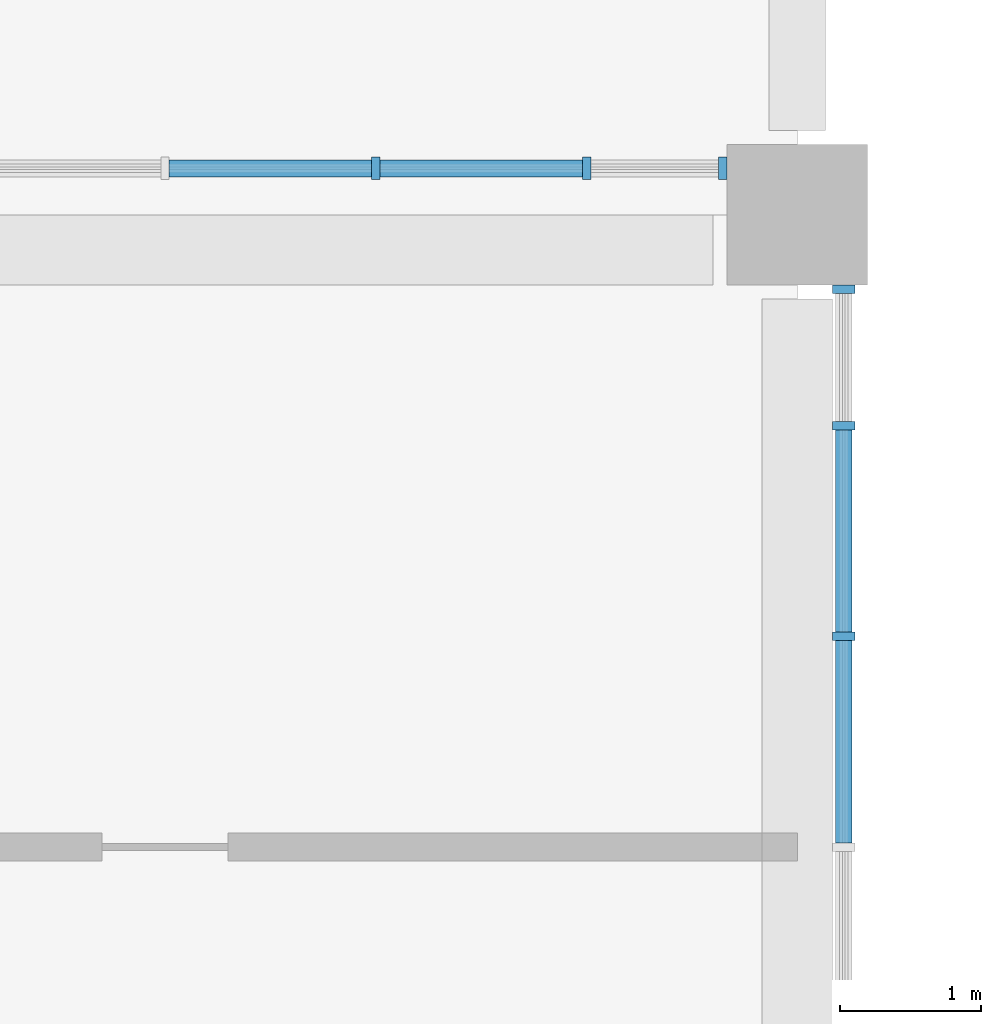
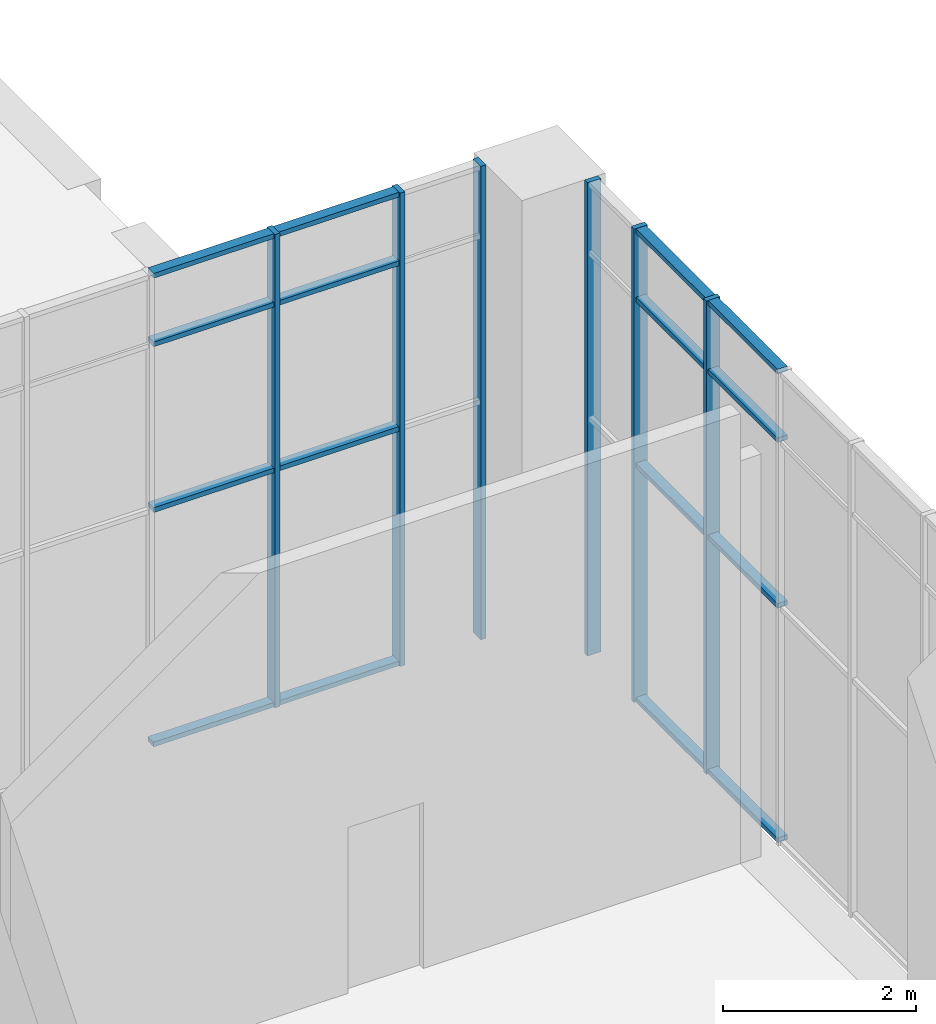
# One storey, part 30 of 86: 22 members, 2 elements without a shape of their own.
"""IFC4 building model written with IfcOpenShell, lengths in metres."""

import ifcopenshell
import ifcopenshell.guid

model = None  # the IFC model being written
_history = None  # IfcOwnerHistory: only IFC2X3 demands one
_inside = {}  # id of a spatial element -> (the spatial element, [elements in it])
_under = {}  # id of a project, library or spatial element -> (it, [spatial elements below it])
_declared = {}  # id of a project -> (the project, [libraries it declares])
_typed = {}  # id of a type object -> (the type object, [elements of that type])
_made_of = {}  # id of a material, layer set ... -> (it, [elements and type objects made of it])


def new_model(schema):
    """Start an empty IFC model of exactly this schema.

    Asked for "IFC4X3", IfcOpenShell would pick the latest addendum, in which some entities
    have other attributes; the version numbers below select the first issue.
    IFC2X3 requires an IfcOwnerHistory on every rooted entity: one is made here for all.
    """
    global model, _history
    if schema == "IFC4X3":
        model = ifcopenshell.file(schema_version=(4, 3, 0, 0))
    else:
        model = ifcopenshell.file(schema=schema)
    _inside.clear()
    _under.clear()
    _declared.clear()
    _typed.clear()
    _made_of.clear()
    _history = None
    if model.schema == "IFC2X3":
        org = make("IfcOrganization", Name="unknown")
        user = make(
            "IfcPersonAndOrganization",
            ThePerson=make("IfcPerson", FamilyName="unknown"),
            TheOrganization=org,
        )
        app = make(
            "IfcApplication",
            ApplicationDeveloper=org,
            Version="unknown",
            ApplicationFullName="unknown",
            ApplicationIdentifier="unknown",
        )
        _history = make(
            "IfcOwnerHistory",
            OwningUser=user,
            OwningApplication=app,
            ChangeAction="ADDED",
            CreationDate=0,
        )
    return model


def make(cls, **values):
    """One entity of the class cls with the attributes given. An attribute that is None is left unset."""
    return model.create_entity(
        cls, **{name: value for name, value in values.items() if value is not None}
    )


def rooted(cls, **values):
    """An entity with a GlobalId (a new one), such as an element, a storey or a relation."""
    return make(cls, GlobalId=ifcopenshell.guid.new(), OwnerHistory=_history, **values)


def si_unit(unit_type, name, prefix=None):
    """IfcSIUnit, for example si_unit("LENGTHUNIT", "METRE", prefix="MILLI")."""
    return make("IfcSIUnit", UnitType=unit_type, Prefix=prefix, Name=name)


def assignment(units):
    """IfcUnitAssignment: the units of a project."""
    return None if units is None else make("IfcUnitAssignment", Units=units)


def point(xyz):
    """IfcCartesianPoint."""
    return None if xyz is None else make("IfcCartesianPoint", Coordinates=xyz)


def direction(xyz):
    """IfcDirection."""
    return None if xyz is None else make("IfcDirection", DirectionRatios=xyz)


def frame(location, z_axis=None, x_axis=None):
    """IfcAxis2Placement3D, a coordinate frame: its origin and axes. An axis left out is left unset."""
    return make(
        "IfcAxis2Placement3D",
        Location=point(location),
        Axis=direction(z_axis),
        RefDirection=direction(x_axis),
    )


def frame_2d(location, x_axis=None):
    """IfcAxis2Placement2D, a coordinate frame in the plane: its origin and x axis."""
    return make(
        "IfcAxis2Placement2D", Location=point(location), RefDirection=direction(x_axis)
    )


def origin():
    """The frame at (0, 0, 0) with its axes left unset."""
    return frame((0.0, 0.0, 0.0))


def origin_2d():
    """The frame at (0, 0) in the plane with its x axis left unset."""
    return frame_2d((0.0, 0.0))


def place(relative_to, where):
    """IfcLocalPlacement: puts the frame where relative to a parent placement (None: the world)."""
    return make(
        "IfcLocalPlacement", PlacementRelTo=relative_to, RelativePlacement=where
    )


def context(
    kind, dimensions, precision=None, world=None, true_north=None, identifier=None
):
    """IfcGeometricRepresentationContext, for example the 3D "Model" context."""
    return make(
        "IfcGeometricRepresentationContext",
        ContextIdentifier=identifier,
        ContextType=kind,
        CoordinateSpaceDimension=dimensions,
        Precision=precision,
        WorldCoordinateSystem=world,
        TrueNorth=true_north,
    )


def subcontext(parent, identifier, kind, view, scale=None):
    """IfcGeometricRepresentationSubContext, for example "Body" below "Model"."""
    return make(
        "IfcGeometricRepresentationSubContext",
        ContextIdentifier=identifier,
        ContextType=kind,
        ParentContext=parent,
        TargetScale=scale,
        TargetView=view,
    )


def project(units=None, contexts=None):
    """IfcProject with its units and contexts."""
    return rooted(
        "IfcProject",
        Name="project",
        RepresentationContexts=contexts,
        UnitsInContext=assignment(units),
    )


def spatial(cls, under=None, at=None, **own):
    """A site, building, storey or space (cls), placed at a placement, below another one or the project."""
    s = rooted(cls, ObjectPlacement=at, **own)
    if under is not None:
        _under.setdefault(under.id(), (under, []))[1].append(s)
    return s


def profile(cls, at=None, kind="AREA", **sizes):
    """A parametric profile (cls). Its sizes go by their IFC names, for example OverallWidth=200.0."""
    return make(cls, ProfileType=kind, Position=at, **sizes)


def rectangle(**sizes):
    """IfcRectangleProfileDef."""
    return profile("IfcRectangleProfileDef", **sizes)


def extrude(swept, where, along, depth):
    """IfcExtrudedAreaSolid: the profile swept, set in the frame where, extruded along a direction by depth."""
    return make(
        "IfcExtrudedAreaSolid",
        SweptArea=swept,
        Position=where,
        ExtrudedDirection=direction(along),
        Depth=depth,
    )


def shape(context_of_items, identifier, shape_type, items):
    """IfcShapeRepresentation: the items that make up one representation, for example the "Body"."""
    return make(
        "IfcShapeRepresentation",
        ContextOfItems=context_of_items,
        RepresentationIdentifier=identifier,
        RepresentationType=shape_type,
        Items=items,
    )


def material(Name=None, Category=None):
    """IfcMaterial."""
    return make("IfcMaterial", Name=Name, Category=Category)


def layer(
    of_material, thickness, ventilated=None, Name=None, Category=None, Priority=None
):
    """IfcMaterialLayer: one layer of a wall or slab, of a material (None: an air gap)."""
    return make(
        "IfcMaterialLayer",
        Material=of_material,
        LayerThickness=thickness,
        IsVentilated=ventilated,
        Name=Name,
        Category=Category,
        Priority=Priority,
    )


def layer_set(layers, Name=None):
    """IfcMaterialLayerSet."""
    return make("IfcMaterialLayerSet", MaterialLayers=layers, LayerSetName=Name)


def material_profile(
    of_material, cross_section, Name=None, Category=None, Priority=None
):
    """IfcMaterialProfile: a cross section and its material."""
    return make(
        "IfcMaterialProfile",
        Name=Name,
        Material=of_material,
        Profile=cross_section,
        Priority=Priority,
        Category=Category,
    )


def profile_set(profiles, Name=None, composite=None):
    """IfcMaterialProfileSet."""
    return make(
        "IfcMaterialProfileSet",
        Name=Name,
        MaterialProfiles=profiles,
        CompositeProfile=composite,
    )


def made_of(thing, what):
    """Note that an element or type object is made of a material, layer set ...; save() writes the relation."""
    if what is not None:
        _made_of.setdefault(what.id(), (what, []))[1].append(thing)
    return thing


def type_object(cls, material=None, **own):
    """A type object (cls), such as IfcWallType, which elements share."""
    return made_of(rooted(cls, **own), material)


def element(
    cls,
    number,
    at=None,
    inside=None,
    cuts=None,
    type_object=None,
    material=None,
    context=None,
    identifier="Body",
    shape_type=None,
    held_by="IfcProductDefinitionShape",
    body=None,
    shapes=None,
    **own,
):
    """One element of the class cls, such as IfcWall. Its Tag is "e" and its number.

    at: its placement. inside: the storey or other place that contains it. cuts: it is an
    opening in that element (IfcRelVoidsElement). A single representation is given by context,
    identifier, shape_type and body (its items); several are given by shapes. held_by: the class
    of the entity that holds the representations. save() writes the other relations.
    """
    e = rooted(cls, Tag="e%d" % number, ObjectPlacement=at, **own)
    if body is not None:
        shapes = [shape(context, identifier, shape_type, body)]
    if shapes is not None:
        e.Representation = make(held_by, Representations=shapes)
    if inside is not None:
        _inside.setdefault(inside.id(), (inside, []))[1].append(e)
    if cuts is not None:
        rooted(
            "IfcRelVoidsElement", RelatingBuildingElement=cuts, RelatedOpeningElement=e
        )
    if type_object is not None:
        _typed.setdefault(type_object.id(), (type_object, []))[1].append(e)
    return made_of(e, material)


def aggregate(whole, parts):
    """IfcRelAggregates: a whole, such as a stair, and the parts it consists of."""
    return rooted("IfcRelAggregates", RelatingObject=whole, RelatedObjects=parts)


def save(model, path):
    """Write the relations noted so far, then the file.

    IfcRelAggregates (storeys below a building ...), IfcRelContainedInSpatialStructure (elements
    in a storey), IfcRelDefinesByType, IfcRelAssociatesMaterial and IfcRelDeclares: one each for
    every whole, place, type object, material and project.
    """
    for whole, parts in _under.values():
        aggregate(whole, parts)
    for where, things in _inside.values():
        rooted(
            "IfcRelContainedInSpatialStructure",
            RelatedElements=things,
            RelatingStructure=where,
        )
    for kind, things in _typed.values():
        rooted("IfcRelDefinesByType", RelatedObjects=things, RelatingType=kind)
    for what, things in _made_of.values():
        rooted("IfcRelAssociatesMaterial", RelatedObjects=things, RelatingMaterial=what)
    for by, libraries in _declared.values():
        rooted("IfcRelDeclares", RelatingContext=by, RelatedDefinitions=libraries)
    model.write(path)


model = new_model("IFC4")

# Units and contexts
model_context = context("Model", 3, precision=1e-05, world=origin(), true_north=direction((0.0, 1.0)))
body_context = subcontext(model_context, "Body", "Model", "MODEL_VIEW")
ifc_project = project(units=[si_unit("LENGTHUNIT", "METRE"), si_unit("AREAUNIT", "SQUARE_METRE"), si_unit("VOLUMEUNIT", "CUBIC_METRE"), si_unit("PLANEANGLEUNIT", "RADIAN"), si_unit("MASSUNIT", "GRAM", prefix="KILO")], contexts=[model_context])

# Site, building, storey
site_placement = place(None, origin())
site = spatial("IfcSite", under=ifc_project, at=site_placement, CompositionType="ELEMENT")
building_placement = place(site_placement, origin())
building = spatial("IfcBuilding", under=site, at=building_placement, Name="Guidao Yard Department Store", CompositionType="ELEMENT")
storey_placement = place(building_placement, origin())
storey = spatial("IfcBuildingStorey", under=building, at=storey_placement, Name="L00", CompositionType="ELEMENT", Elevation=0.0)

# Curtain wall, members
ifc_material_1 = material(Name="Aluminium and glass", Category="aluminium")
ifc_layer = layer(ifc_material_1, 0.159912109375)
ifc_layer_set = layer_set([ifc_layer], Name="Unitised curtain wall CW4 1500 module")
curtain_wall_type = type_object("IfcCurtainWallType", Name="Unitised curtain wall CW4 1500 module", PredefinedType="NOTDEFINED", material=ifc_layer_set)
curtain_wall_1_placement = place(storey_placement, origin())
curtain_wall_1 = element("IfcCurtainWall", 1, at=curtain_wall_1_placement, inside=storey, type_object=curtain_wall_type, Name="Unitised curtain wall", PredefinedType="NOTDEFINED")
ifc_material_2 = material(Name="Aluminium 6063-T5", Category="aluminium")
ifc_material_profile_1 = material_profile(ifc_material_2, rectangle(XDim=0.06005859375, YDim=0.159912109375, at=origin_2d()), Name="Mullion M1 60 x 160 aluminium pressure plate")
ifc_profile_set_1 = profile_set([ifc_material_profile_1], Name="Aluminium 6063-T5")
member_type_1 = type_object("IfcMemberType", Name="Mullion M1 60 x 160 aluminium pressure plate", PredefinedType="MULLION", material=ifc_profile_set_1)
member_1_placement = place(storey_placement, frame((168.0, 27.330078125, 0.0), z_axis=(0.0, 0.0, 1.0), x_axis=(1.0, 0.0, 0.0)))
member_1 = element("IfcMember", 2, at=member_1_placement, type_object=member_type_1, Name="CW-OW-L00-07 mullion 5", PredefinedType="MULLION", context=body_context, shape_type="SweptSolid", body=[
    extrude(rectangle(XDim=0.06005859375, YDim=0.159912109375, at=origin_2d()), origin(), (0.0, 0.0, 1.0), 6.0),
])
member_2_placement = place(storey_placement, frame((169.5, 27.330078125, 0.0), z_axis=(0.0, 0.0, 1.0), x_axis=(1.0, 0.0, 0.0)))
member_2 = element("IfcMember", 3, at=member_2_placement, type_object=member_type_1, Name="CW-OW-L00-07 mullion 6", PredefinedType="MULLION", context=body_context, shape_type="SweptSolid", body=[
    extrude(rectangle(XDim=0.06005859375, YDim=0.159912109375, at=origin_2d()), origin(), (0.0, 0.0, 1.0), 6.0),
])
member_3_placement = place(storey_placement, frame((170.469970703125, 27.330078125, 0.0), z_axis=(0.0, 0.0, 1.0), x_axis=(1.0, 0.0, 0.0)))
member_3 = element("IfcMember", 4, at=member_3_placement, type_object=member_type_1, Name="CW-OW-L00-07 mullion 7", PredefinedType="MULLION", context=body_context, shape_type="SweptSolid", body=[
    extrude(rectangle(XDim=0.06005859375, YDim=0.159912109375, at=origin_2d()), origin(), (0.0, 0.0, 1.0), 6.0),
])

curtain_wall_2_placement = place(storey_placement, origin())
curtain_wall_2 = element("IfcCurtainWall", 5, at=curtain_wall_2_placement, inside=storey, type_object=curtain_wall_type, Name="Unitised curtain wall", PredefinedType="NOTDEFINED")
member_4_placement = place(storey_placement, frame((171.330078125, 24.0, 0.0), z_axis=(0.0, 0.0, 1.0), x_axis=(0.0, -1.0, 0.0)))
member_4 = element("IfcMember", 6, at=member_4_placement, type_object=member_type_1, Name="CW-OW-L00-10 mullion 5", PredefinedType="MULLION", context=body_context, shape_type="SweptSolid", body=[
    extrude(rectangle(XDim=0.06005859375, YDim=0.159912109375, at=origin_2d()), origin(), (0.0, 0.0, 1.0), 6.0),
])
member_5_placement = place(storey_placement, frame((171.330078125, 25.5, 0.0), z_axis=(0.0, 0.0, 1.0), x_axis=(0.0, -1.0, 0.0)))
member_5 = element("IfcMember", 7, at=member_5_placement, type_object=member_type_1, Name="CW-OW-L00-10 mullion 6", PredefinedType="MULLION", context=body_context, shape_type="SweptSolid", body=[
    extrude(rectangle(XDim=0.06005859375, YDim=0.159912109375, at=origin_2d()), origin(), (0.0, 0.0, 1.0), 6.0),
])
member_6_placement = place(storey_placement, frame((171.330078125, 26.469970703125, 0.0), z_axis=(0.0, 0.0, 1.0), x_axis=(0.0, -1.0, 0.0)))
member_6 = element("IfcMember", 8, at=member_6_placement, type_object=member_type_1, Name="CW-OW-L00-10 mullion 7", PredefinedType="MULLION", context=body_context, shape_type="SweptSolid", body=[
    extrude(rectangle(XDim=0.06005859375, YDim=0.159912109375, at=origin_2d()), origin(), (0.0, 0.0, 1.0), 6.0),
])

# Member
ifc_material_3 = material(Name="Aluminium 6063-T5", Category="aluminium")
ifc_material_profile_2 = material_profile(ifc_material_3, rectangle(XDim=0.1201171875, YDim=0.06005859375, at=origin_2d()), Name="Transom T1 60 x 120 aluminium pressure plate")
ifc_profile_set_2 = profile_set([ifc_material_profile_2], Name="Aluminium 6063-T5")
member_type_2 = type_object("IfcMemberType", Name="Transom T1 60 x 120 aluminium pressure plate", PredefinedType="USERDEFINED", material=ifc_profile_set_2)
member_7_placement = place(storey_placement, frame((166.530029296875, 27.330078125, 0.030029296875), z_axis=(1.0, 0.0, 0.0), x_axis=(0.0, 1.0, 0.0)))
member_7 = element("IfcMember", 9, at=member_7_placement, type_object=member_type_2, Name="CW-OW-L00-07 transom 4.1", ObjectType="TRANSOM", PredefinedType="USERDEFINED", context=body_context, shape_type="SweptSolid", body=[
    extrude(rectangle(XDim=0.1201171875, YDim=0.06005859375, at=origin_2d()), origin(), (0.0, 0.0, 1.0), 1.43994140625),
])

member_8_placement = place(storey_placement, frame((166.530029296875, 27.330078125, 3.0), z_axis=(1.0, 0.0, 0.0), x_axis=(0.0, 1.0, 0.0)))
member_8 = element("IfcMember", 10, at=member_8_placement, type_object=member_type_2, Name="CW-OW-L00-07 transom 4.2", ObjectType="TRANSOM", PredefinedType="USERDEFINED", context=body_context, shape_type="SweptSolid", body=[
    extrude(rectangle(XDim=0.1201171875, YDim=0.06005859375, at=origin_2d()), origin(), (0.0, 0.0, 1.0), 1.43994140625),
])

member_9_placement = place(storey_placement, frame((166.530029296875, 27.330078125, 5.10009765625), z_axis=(1.0, 0.0, 0.0), x_axis=(0.0, 1.0, 0.0)))
member_9 = element("IfcMember", 11, at=member_9_placement, type_object=member_type_2, Name="CW-OW-L00-07 transom 4.3", ObjectType="TRANSOM", PredefinedType="USERDEFINED", context=body_context, shape_type="SweptSolid", body=[
    extrude(rectangle(XDim=0.1201171875, YDim=0.06005859375, at=origin_2d()), origin(), (0.0, 0.0, 1.0), 1.43994140625),
])

member_10_placement = place(storey_placement, frame((166.530029296875, 27.330078125, 5.969970703125), z_axis=(1.0, 0.0, 0.0), x_axis=(0.0, 1.0, 0.0)))
member_10 = element("IfcMember", 12, at=member_10_placement, type_object=member_type_2, Name="CW-OW-L00-07 transom 4.4", ObjectType="TRANSOM", PredefinedType="USERDEFINED", context=body_context, shape_type="SweptSolid", body=[
    extrude(rectangle(XDim=0.1201171875, YDim=0.06005859375, at=origin_2d()), origin(), (0.0, 0.0, 1.0), 1.43994140625),
])

member_11_placement = place(storey_placement, frame((168.030029296875, 27.330078125, 0.030029296875), z_axis=(1.0, 0.0, 0.0), x_axis=(0.0, 1.0, 0.0)))
member_11 = element("IfcMember", 13, at=member_11_placement, type_object=member_type_2, Name="CW-OW-L00-07 transom 5.1", ObjectType="TRANSOM", PredefinedType="USERDEFINED", context=body_context, shape_type="SweptSolid", body=[
    extrude(rectangle(XDim=0.1201171875, YDim=0.06005859375, at=origin_2d()), origin(), (0.0, 0.0, 1.0), 1.43994140625),
])

member_12_placement = place(storey_placement, frame((168.030029296875, 27.330078125, 3.0), z_axis=(1.0, 0.0, 0.0), x_axis=(0.0, 1.0, 0.0)))
member_12 = element("IfcMember", 14, at=member_12_placement, type_object=member_type_2, Name="CW-OW-L00-07 transom 5.2", ObjectType="TRANSOM", PredefinedType="USERDEFINED", context=body_context, shape_type="SweptSolid", body=[
    extrude(rectangle(XDim=0.1201171875, YDim=0.06005859375, at=origin_2d()), origin(), (0.0, 0.0, 1.0), 1.43994140625),
])

member_13_placement = place(storey_placement, frame((168.030029296875, 27.330078125, 5.10009765625), z_axis=(1.0, 0.0, 0.0), x_axis=(0.0, 1.0, 0.0)))
member_13 = element("IfcMember", 15, at=member_13_placement, type_object=member_type_2, Name="CW-OW-L00-07 transom 5.3", ObjectType="TRANSOM", PredefinedType="USERDEFINED", context=body_context, shape_type="SweptSolid", body=[
    extrude(rectangle(XDim=0.1201171875, YDim=0.06005859375, at=origin_2d()), origin(), (0.0, 0.0, 1.0), 1.43994140625),
])

member_14_placement = place(storey_placement, frame((168.030029296875, 27.330078125, 5.969970703125), z_axis=(1.0, 0.0, 0.0), x_axis=(0.0, 1.0, 0.0)))
member_14 = element("IfcMember", 16, at=member_14_placement, type_object=member_type_2, Name="CW-OW-L00-07 transom 5.4", ObjectType="TRANSOM", PredefinedType="USERDEFINED", context=body_context, shape_type="SweptSolid", body=[
    extrude(rectangle(XDim=0.1201171875, YDim=0.06005859375, at=origin_2d()), origin(), (0.0, 0.0, 1.0), 1.43994140625),
])

aggregate(curtain_wall_1, [member_1, member_2, member_3, member_7, member_8, member_9, member_10, member_11, member_12, member_13, member_14])

member_15_placement = place(storey_placement, frame((171.330078125, 23.969970703125, 0.030029296875), z_axis=(0.0, -1.0, 0.0), x_axis=(1.0, 0.0, 0.0)))
member_15 = element("IfcMember", 17, at=member_15_placement, type_object=member_type_2, Name="CW-OW-L00-10 transom 4.1", ObjectType="TRANSOM", PredefinedType="USERDEFINED", context=body_context, shape_type="SweptSolid", body=[
    extrude(rectangle(XDim=0.1201171875, YDim=0.06005859375, at=origin_2d()), origin(), (0.0, 0.0, 1.0), 1.43994140625),
])

member_16_placement = place(storey_placement, frame((171.330078125, 23.969970703125, 3.0), z_axis=(0.0, -1.0, 0.0), x_axis=(1.0, 0.0, 0.0)))
member_16 = element("IfcMember", 18, at=member_16_placement, type_object=member_type_2, Name="CW-OW-L00-10 transom 4.2", ObjectType="TRANSOM", PredefinedType="USERDEFINED", context=body_context, shape_type="SweptSolid", body=[
    extrude(rectangle(XDim=0.1201171875, YDim=0.06005859375, at=origin_2d()), origin(), (0.0, 0.0, 1.0), 1.43994140625),
])

member_17_placement = place(storey_placement, frame((171.330078125, 23.969970703125, 5.10009765625), z_axis=(0.0, -1.0, 0.0), x_axis=(1.0, 0.0, 0.0)))
member_17 = element("IfcMember", 19, at=member_17_placement, type_object=member_type_2, Name="CW-OW-L00-10 transom 4.3", ObjectType="TRANSOM", PredefinedType="USERDEFINED", context=body_context, shape_type="SweptSolid", body=[
    extrude(rectangle(XDim=0.1201171875, YDim=0.06005859375, at=origin_2d()), origin(), (0.0, 0.0, 1.0), 1.43994140625),
])

member_18_placement = place(storey_placement, frame((171.330078125, 23.969970703125, 5.969970703125), z_axis=(0.0, -1.0, 0.0), x_axis=(1.0, 0.0, 0.0)))
member_18 = element("IfcMember", 20, at=member_18_placement, type_object=member_type_2, Name="CW-OW-L00-10 transom 4.4", ObjectType="TRANSOM", PredefinedType="USERDEFINED", context=body_context, shape_type="SweptSolid", body=[
    extrude(rectangle(XDim=0.1201171875, YDim=0.06005859375, at=origin_2d()), origin(), (0.0, 0.0, 1.0), 1.43994140625),
])

member_19_placement = place(storey_placement, frame((171.330078125, 25.469970703125, 0.030029296875), z_axis=(0.0, -1.0, 0.0), x_axis=(1.0, 0.0, 0.0)))
member_19 = element("IfcMember", 21, at=member_19_placement, type_object=member_type_2, Name="CW-OW-L00-10 transom 5.1", ObjectType="TRANSOM", PredefinedType="USERDEFINED", context=body_context, shape_type="SweptSolid", body=[
    extrude(rectangle(XDim=0.1201171875, YDim=0.06005859375, at=origin_2d()), origin(), (0.0, 0.0, 1.0), 1.43994140625),
])

member_20_placement = place(storey_placement, frame((171.330078125, 25.469970703125, 3.0), z_axis=(0.0, -1.0, 0.0), x_axis=(1.0, 0.0, 0.0)))
member_20 = element("IfcMember", 22, at=member_20_placement, type_object=member_type_2, Name="CW-OW-L00-10 transom 5.2", ObjectType="TRANSOM", PredefinedType="USERDEFINED", context=body_context, shape_type="SweptSolid", body=[
    extrude(rectangle(XDim=0.1201171875, YDim=0.06005859375, at=origin_2d()), origin(), (0.0, 0.0, 1.0), 1.43994140625),
])

member_21_placement = place(storey_placement, frame((171.330078125, 25.469970703125, 5.10009765625), z_axis=(0.0, -1.0, 0.0), x_axis=(1.0, 0.0, 0.0)))
member_21 = element("IfcMember", 23, at=member_21_placement, type_object=member_type_2, Name="CW-OW-L00-10 transom 5.3", ObjectType="TRANSOM", PredefinedType="USERDEFINED", context=body_context, shape_type="SweptSolid", body=[
    extrude(rectangle(XDim=0.1201171875, YDim=0.06005859375, at=origin_2d()), origin(), (0.0, 0.0, 1.0), 1.43994140625),
])

member_22_placement = place(storey_placement, frame((171.330078125, 25.469970703125, 5.969970703125), z_axis=(0.0, -1.0, 0.0), x_axis=(1.0, 0.0, 0.0)))
member_22 = element("IfcMember", 24, at=member_22_placement, type_object=member_type_2, Name="CW-OW-L00-10 transom 5.4", ObjectType="TRANSOM", PredefinedType="USERDEFINED", context=body_context, shape_type="SweptSolid", body=[
    extrude(rectangle(XDim=0.1201171875, YDim=0.06005859375, at=origin_2d()), origin(), (0.0, 0.0, 1.0), 1.43994140625),
])

aggregate(curtain_wall_2, [member_4, member_5, member_6, member_15, member_16, member_17, member_18, member_19, member_20, member_21, member_22])

save(model, "model.ifc")
